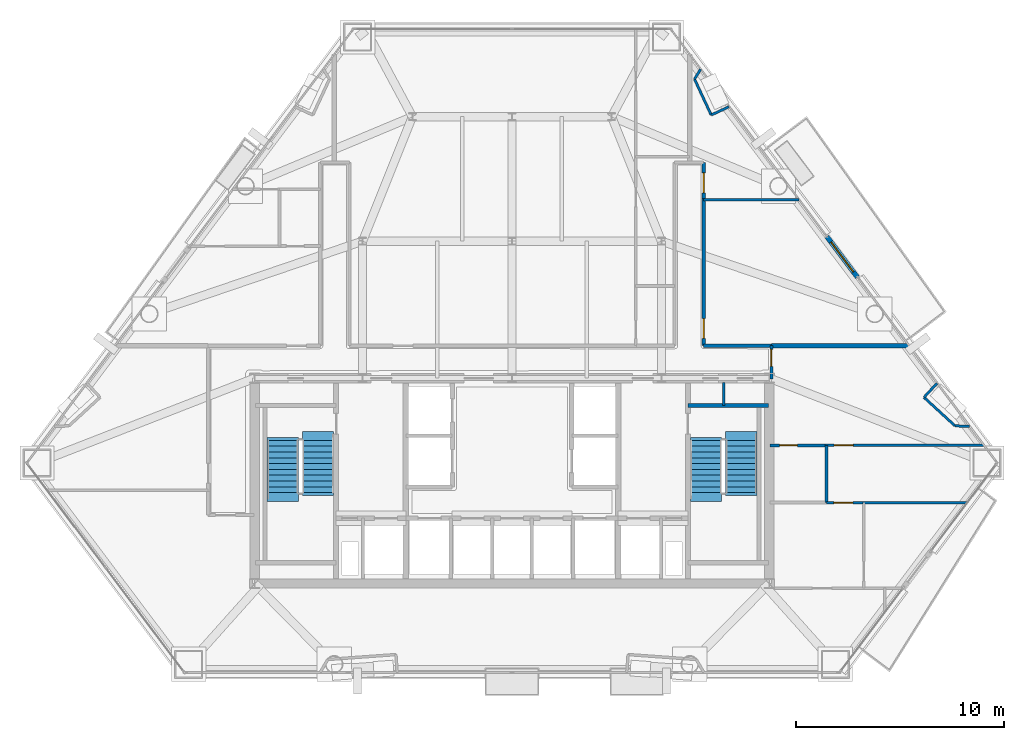
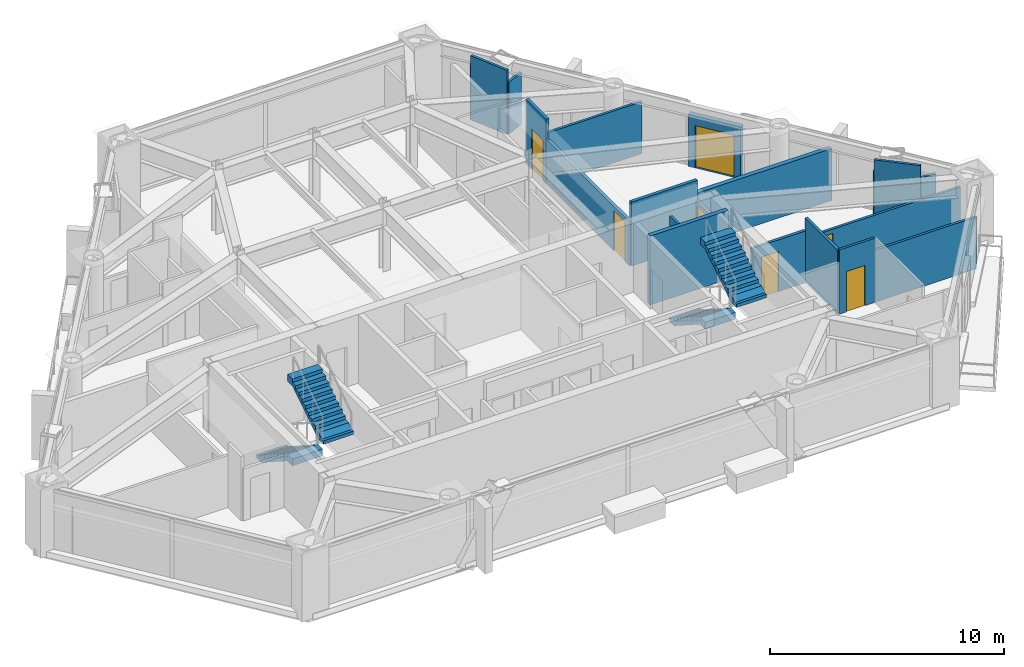
# One storey, part 8 of 10: 20 walls, 7 doors, 4 stair flights, 7 openings, 2 elements without a shape of their own.
"""IFC4 building model written with IfcOpenShell, lengths in metres."""

import ifcopenshell
import ifcopenshell.guid

model = None  # the IFC model being written
_history = None  # IfcOwnerHistory: only IFC2X3 demands one
_inside = {}  # id of a spatial element -> (the spatial element, [elements in it])
_under = {}  # id of a project, library or spatial element -> (it, [spatial elements below it])
_declared = {}  # id of a project -> (the project, [libraries it declares])
_typed = {}  # id of a type object -> (the type object, [elements of that type])
_made_of = {}  # id of a material, layer set ... -> (it, [elements and type objects made of it])


def new_model(schema):
    """Start an empty IFC model of exactly this schema.

    Asked for "IFC4X3", IfcOpenShell would pick the latest addendum, in which some entities
    have other attributes; the version numbers below select the first issue.
    IFC2X3 requires an IfcOwnerHistory on every rooted entity: one is made here for all.
    """
    global model, _history
    if schema == "IFC4X3":
        model = ifcopenshell.file(schema_version=(4, 3, 0, 0))
    else:
        model = ifcopenshell.file(schema=schema)
    _inside.clear()
    _under.clear()
    _declared.clear()
    _typed.clear()
    _made_of.clear()
    _history = None
    if model.schema == "IFC2X3":
        org = make("IfcOrganization", Name="unknown")
        user = make(
            "IfcPersonAndOrganization",
            ThePerson=make("IfcPerson", FamilyName="unknown"),
            TheOrganization=org,
        )
        app = make(
            "IfcApplication",
            ApplicationDeveloper=org,
            Version="unknown",
            ApplicationFullName="unknown",
            ApplicationIdentifier="unknown",
        )
        _history = make(
            "IfcOwnerHistory",
            OwningUser=user,
            OwningApplication=app,
            ChangeAction="ADDED",
            CreationDate=0,
        )
    return model


def make(cls, **values):
    """One entity of the class cls with the attributes given. An attribute that is None is left unset."""
    return model.create_entity(
        cls, **{name: value for name, value in values.items() if value is not None}
    )


def rooted(cls, **values):
    """An entity with a GlobalId (a new one), such as an element, a storey or a relation."""
    return make(cls, GlobalId=ifcopenshell.guid.new(), OwnerHistory=_history, **values)


def si_unit(unit_type, name, prefix=None):
    """IfcSIUnit, for example si_unit("LENGTHUNIT", "METRE", prefix="MILLI")."""
    return make("IfcSIUnit", UnitType=unit_type, Prefix=prefix, Name=name)


def assignment(units):
    """IfcUnitAssignment: the units of a project."""
    return None if units is None else make("IfcUnitAssignment", Units=units)


def point(xyz):
    """IfcCartesianPoint."""
    return None if xyz is None else make("IfcCartesianPoint", Coordinates=xyz)


def direction(xyz):
    """IfcDirection."""
    return None if xyz is None else make("IfcDirection", DirectionRatios=xyz)


def frame(location, z_axis=None, x_axis=None):
    """IfcAxis2Placement3D, a coordinate frame: its origin and axes. An axis left out is left unset."""
    return make(
        "IfcAxis2Placement3D",
        Location=point(location),
        Axis=direction(z_axis),
        RefDirection=direction(x_axis),
    )


def frame_2d(location, x_axis=None):
    """IfcAxis2Placement2D, a coordinate frame in the plane: its origin and x axis."""
    return make(
        "IfcAxis2Placement2D", Location=point(location), RefDirection=direction(x_axis)
    )


def origin():
    """The frame at (0, 0, 0) with its axes left unset."""
    return frame((0.0, 0.0, 0.0))


def place(relative_to, where):
    """IfcLocalPlacement: puts the frame where relative to a parent placement (None: the world)."""
    return make(
        "IfcLocalPlacement", PlacementRelTo=relative_to, RelativePlacement=where
    )


def context(
    kind, dimensions, precision=None, world=None, true_north=None, identifier=None
):
    """IfcGeometricRepresentationContext, for example the 3D "Model" context."""
    return make(
        "IfcGeometricRepresentationContext",
        ContextIdentifier=identifier,
        ContextType=kind,
        CoordinateSpaceDimension=dimensions,
        Precision=precision,
        WorldCoordinateSystem=world,
        TrueNorth=true_north,
    )


def subcontext(parent, identifier, kind, view, scale=None):
    """IfcGeometricRepresentationSubContext, for example "Body" below "Model"."""
    return make(
        "IfcGeometricRepresentationSubContext",
        ContextIdentifier=identifier,
        ContextType=kind,
        ParentContext=parent,
        TargetScale=scale,
        TargetView=view,
    )


def project(units=None, contexts=None):
    """IfcProject with its units and contexts."""
    return rooted(
        "IfcProject",
        Name="project",
        RepresentationContexts=contexts,
        UnitsInContext=assignment(units),
    )


def spatial(cls, under=None, at=None, **own):
    """A site, building, storey or space (cls), placed at a placement, below another one or the project."""
    s = rooted(cls, ObjectPlacement=at, **own)
    if under is not None:
        _under.setdefault(under.id(), (under, []))[1].append(s)
    return s


def polyline(points):
    """IfcPolyline through the points."""
    return make("IfcPolyline", Points=[point(p) for p in points])


def profile(cls, at=None, kind="AREA", **sizes):
    """A parametric profile (cls). Its sizes go by their IFC names, for example OverallWidth=200.0."""
    return make(cls, ProfileType=kind, Position=at, **sizes)


def rectangle(**sizes):
    """IfcRectangleProfileDef."""
    return profile("IfcRectangleProfileDef", **sizes)


def outline(outer, holes=None, kind="AREA"):
    """IfcArbitraryClosedProfileDef: a profile drawn as a closed curve; with holes, ...WithVoids."""
    if holes is None:
        return make("IfcArbitraryClosedProfileDef", ProfileType=kind, OuterCurve=outer)
    return make(
        "IfcArbitraryProfileDefWithVoids",
        ProfileType=kind,
        OuterCurve=outer,
        InnerCurves=holes,
    )


def extrude(swept, where, along, depth):
    """IfcExtrudedAreaSolid: the profile swept, set in the frame where, extruded along a direction by depth."""
    return make(
        "IfcExtrudedAreaSolid",
        SweptArea=swept,
        Position=where,
        ExtrudedDirection=direction(along),
        Depth=depth,
    )


def shape(context_of_items, identifier, shape_type, items):
    """IfcShapeRepresentation: the items that make up one representation, for example the "Body"."""
    return make(
        "IfcShapeRepresentation",
        ContextOfItems=context_of_items,
        RepresentationIdentifier=identifier,
        RepresentationType=shape_type,
        Items=items,
    )


def material(Name=None, Category=None):
    """IfcMaterial."""
    return make("IfcMaterial", Name=Name, Category=Category)


def layer(
    of_material, thickness, ventilated=None, Name=None, Category=None, Priority=None
):
    """IfcMaterialLayer: one layer of a wall or slab, of a material (None: an air gap)."""
    return make(
        "IfcMaterialLayer",
        Material=of_material,
        LayerThickness=thickness,
        IsVentilated=ventilated,
        Name=Name,
        Category=Category,
        Priority=Priority,
    )


def layer_set(layers, Name=None):
    """IfcMaterialLayerSet."""
    return make("IfcMaterialLayerSet", MaterialLayers=layers, LayerSetName=Name)


def made_of(thing, what):
    """Note that an element or type object is made of a material, layer set ...; save() writes the relation."""
    if what is not None:
        _made_of.setdefault(what.id(), (what, []))[1].append(thing)
    return thing


def type_object(cls, material=None, **own):
    """A type object (cls), such as IfcWallType, which elements share."""
    return made_of(rooted(cls, **own), material)


def element(
    cls,
    number,
    at=None,
    inside=None,
    cuts=None,
    type_object=None,
    material=None,
    context=None,
    identifier="Body",
    shape_type=None,
    held_by="IfcProductDefinitionShape",
    body=None,
    shapes=None,
    **own,
):
    """One element of the class cls, such as IfcWall. Its Tag is "e" and its number.

    at: its placement. inside: the storey or other place that contains it. cuts: it is an
    opening in that element (IfcRelVoidsElement). A single representation is given by context,
    identifier, shape_type and body (its items); several are given by shapes. held_by: the class
    of the entity that holds the representations. save() writes the other relations.
    """
    e = rooted(cls, Tag="e%d" % number, ObjectPlacement=at, **own)
    if body is not None:
        shapes = [shape(context, identifier, shape_type, body)]
    if shapes is not None:
        e.Representation = make(held_by, Representations=shapes)
    if inside is not None:
        _inside.setdefault(inside.id(), (inside, []))[1].append(e)
    if cuts is not None:
        rooted(
            "IfcRelVoidsElement", RelatingBuildingElement=cuts, RelatedOpeningElement=e
        )
    if type_object is not None:
        _typed.setdefault(type_object.id(), (type_object, []))[1].append(e)
    return made_of(e, material)


def fill(opening, filler):
    """IfcRelFillsElement: the door or window that sits in an opening."""
    return rooted(
        "IfcRelFillsElement",
        RelatingOpeningElement=opening,
        RelatedBuildingElement=filler,
    )


def aggregate(whole, parts):
    """IfcRelAggregates: a whole, such as a stair, and the parts it consists of."""
    return rooted("IfcRelAggregates", RelatingObject=whole, RelatedObjects=parts)


def save(model, path):
    """Write the relations noted so far, then the file.

    IfcRelAggregates (storeys below a building ...), IfcRelContainedInSpatialStructure (elements
    in a storey), IfcRelDefinesByType, IfcRelAssociatesMaterial and IfcRelDeclares: one each for
    every whole, place, type object, material and project.
    """
    for whole, parts in _under.values():
        aggregate(whole, parts)
    for where, things in _inside.values():
        rooted(
            "IfcRelContainedInSpatialStructure",
            RelatedElements=things,
            RelatingStructure=where,
        )
    for kind, things in _typed.values():
        rooted("IfcRelDefinesByType", RelatedObjects=things, RelatingType=kind)
    for what, things in _made_of.values():
        rooted("IfcRelAssociatesMaterial", RelatedObjects=things, RelatingMaterial=what)
    for by, libraries in _declared.values():
        rooted("IfcRelDeclares", RelatingContext=by, RelatedDefinitions=libraries)
    model.write(path)


model = new_model("IFC4")

# Units and contexts
model_context = context("Model", 3, precision=1e-05, world=origin(), true_north=direction((0.0, 1.0)))
body_context = subcontext(model_context, "Body", "Model", "MODEL_VIEW")
ifc_project = project(units=[si_unit("LENGTHUNIT", "METRE"), si_unit("AREAUNIT", "SQUARE_METRE"), si_unit("VOLUMEUNIT", "CUBIC_METRE"), si_unit("PLANEANGLEUNIT", "RADIAN"), si_unit("MASSUNIT", "GRAM", prefix="KILO")], contexts=[model_context])

# Site, building, storey
site_placement = place(None, origin())
site = spatial("IfcSite", under=ifc_project, at=site_placement, CompositionType="ELEMENT")
building_placement = place(site_placement, origin())
building = spatial("IfcBuilding", under=site, at=building_placement, Name="Talgorran Terracotta Tower", CompositionType="ELEMENT")
storey_placement = place(building_placement, frame((0.0, 0.0, 64.800048828125)))
storey = spatial("IfcBuildingStorey", under=building, at=storey_placement, Name="L16", CompositionType="ELEMENT", Elevation=64.800048828125)

# Wall, opening, door
ifc_material_1 = material(Name="Concrete C40/50", Category="concrete")
ifc_layer_1 = layer(ifc_material_1, 0.239990234375, Name="WT_BALCONY_SPAND")
ifc_layer_set_1 = layer_set([ifc_layer_1], Name="Concrete C40/50")
wall_type_1 = type_object("IfcWallType", Name="WT_BALCONY_SPAND", PredefinedType="STANDARD", material=ifc_layer_set_1)
wall_1_placement = place(storey_placement, frame((16.646484375, 0.665771484375, -0.01513671875), z_axis=(0.0, 0.0, 1.0), x_axis=(-0.601471893772, 0.79889396105, 0.0)))
wall_1 = element("IfcWall", 1, at=wall_1_placement, inside=storey, type_object=wall_type_1, Name="WL-L16-BALP-BAL-NE", PredefinedType="STANDARD", context=body_context, shape_type="SweptSolid", body=[
    extrude(rectangle(XDim=2.43994140625, YDim=0.239990234375, at=frame_2d((1.219970703125, 0.0))), origin(), (0.0, 0.0, 1.0), 2.728515625),
])
opening_1_placement = place(wall_1_placement, frame((0.320068359375, 0.0, 0.014892578125)))
opening_1 = element("IfcOpeningElement", 2, at=opening_1_placement, cuts=wall_1, Name="Opening D-BAL-L16-1", PredefinedType="OPENING", context=body_context, shape_type="SweptSolid", body=[
    extrude(rectangle(XDim=1.806048828125, YDim=2.203951171875, at=frame_2d((0.89990234375, 1.10205078125))), frame((0.0, 0.1298828125, 0.0), z_axis=(0.0, -1.0, 0.0), x_axis=(1.0, 0.0, 0.0)), (0.0, 0.0, 1.0), 0.260009765625),
])
ifc_material_2 = material(Name="Thermally Broken Aluminium", Category="aluminium")
door_type_1 = type_object("IfcDoorType", Name="DT_BALC_1800", OperationType="SLIDING_TO_LEFT", PredefinedType="DOOR", material=ifc_material_2)
door_1_placement = place(opening_1_placement, origin())
door_1 = element("IfcDoor", 3, at=door_1_placement, inside=storey, type_object=door_type_1, Name="DR-L16-BAL-BAL-NE", OperationType="SLIDING_TO_LEFT", OverallHeight=2.199951171875, OverallWidth=1.800048828125, PredefinedType="DOOR", context=body_context, shape_type="SweptSolid", body=[
    extrude(rectangle(XDim=1.800048828125, YDim=2.199951171875, at=frame_2d((0.89990234375, 1.10009765625))), frame((0.0, 0.02490234375, 0.0), z_axis=(0.0, -1.0, 0.0), x_axis=(1.0, 0.0, 0.0)), (0.0, 0.0, 1.0), 0.050048828125),
])
fill(opening_1, door_1)

# Wall
ifc_material_3 = material(Name="Concrete C50/60", Category="concrete")
ifc_layer_2 = layer(ifc_material_3, 0.199951171875, Name="WT_CORE_200")
ifc_layer_set_2 = layer_set([ifc_layer_2], Name="Concrete C50/60")
wall_type_2 = type_object("IfcWallType", Name="WT_CORE_200", PredefinedType="SOLIDWALL", material=ifc_layer_set_2)
wall_2_placement = place(storey_placement, frame((8.47998046875, -5.52001953125, 0.0), z_axis=(0.0, 0.0, 1.0), x_axis=(1.0, 0.0, 0.0)))
element("IfcWall", 4, at=wall_2_placement, inside=storey, type_object=wall_type_2, Name="WL-L16-CW-ST2-N", PredefinedType="SOLIDWALL", context=body_context, shape_type="SweptSolid", body=[
    extrude(rectangle(XDim=3.8701171875, YDim=0.199951171875, at=frame_2d((1.93505859375, 0.0))), origin(), (0.0, 0.0, 1.0), 3.599853515625),
])

# Wall, opening, door
ifc_material_4 = material(Name="Fire-Rated Steel Stud Plasterboard", Category="steel")
ifc_layer_3 = layer(ifc_material_4, 0.14990234375, Name="WT_FIRE_150")
ifc_layer_set_3 = layer_set([ifc_layer_3], Name="Fire-Rated Steel Stud Plasterboard")
wall_type_3 = type_object("IfcWallType", Name="WT_FIRE_150", PredefinedType="PARTITIONING", material=ifc_layer_set_3)
wall_3_placement = place(storey_placement, frame((9.239990234375, -2.639892578125, 0.0), z_axis=(0.0, 0.0, 1.0), x_axis=(0.0, 1.0, 0.0)))
wall_3 = element("IfcWall", 5, at=wall_3_placement, inside=storey, type_object=wall_type_3, Name="WL-L16-W-L16-R17", PredefinedType="PARTITIONING", context=body_context, shape_type="SweptSolid", body=[
    extrude(rectangle(XDim=7.099853515625, YDim=0.14990234375, at=frame_2d((3.5498046875, 0.0))), origin(), (0.0, 0.0, 1.0), 2.324951171875),
])
opening_2_placement = place(wall_3_placement, frame((0.359619140625, 0.0, 0.0)))
opening_2 = element("IfcOpeningElement", 6, at=opening_2_placement, cuts=wall_3, Name="Opening DR-L16-R16", PredefinedType="OPENING", context=body_context, shape_type="SweptSolid", body=[
    extrude(rectangle(XDim=0.955951171875, YDim=2.10409765625, at=frame_2d((0.47509765625, 1.052001953125))), frame((0.0, 0.0849609375, 0.0), z_axis=(0.0, -1.0, 0.0), x_axis=(1.0, 0.0, 0.0)), (0.0, 0.0, 1.0), 0.169921875),
])
ifc_material_5 = material(Name="Fire-Rated Timber Core", Category="wood")
door_type_2 = type_object("IfcDoorType", Name="DT_FIRE_950", OperationType="NOTDEFINED", PredefinedType="DOOR", material=ifc_material_5)
door_2_placement = place(opening_2_placement, origin())
door_2 = element("IfcDoor", 7, at=door_2_placement, inside=storey, type_object=door_type_2, Name="DR-L16-R16", OperationType="SINGLE_SWING_RIGHT", OverallHeight=2.10009765625, OverallWidth=0.949951171875, PredefinedType="DOOR", context=body_context, shape_type="SweptSolid", body=[
    extrude(rectangle(XDim=0.949951171875, YDim=2.10009765625, at=frame_2d((0.47509765625, 1.050048828125))), frame((0.0, 0.02490234375, 0.0), z_axis=(0.0, -1.0, 0.0), x_axis=(1.0, 0.0, 0.0)), (0.0, 0.0, 1.0), 0.050048828125),
])
fill(opening_2, door_2)

# Wall
wall_4_placement = place(storey_placement, frame((9.239990234375, -2.639892578125, 0.0), z_axis=(0.0, 0.0, 1.0), x_axis=(1.0, 0.0, 0.0)))
element("IfcWall", 8, at=wall_4_placement, inside=storey, type_object=wall_type_3, Name="WL-L16-W-L16-R18", PredefinedType="PARTITIONING", context=body_context, shape_type="SweptSolid", body=[
    extrude(rectangle(XDim=3.260009765625, YDim=0.14990234375, at=frame_2d((1.6298828125, 0.0))), origin(), (0.0, 0.0, 1.0), 3.349853515625),
])

# Wall, opening, door
wall_5_placement = place(storey_placement, frame((9.239990234375, 4.4619140625, 0.0), z_axis=(0.0, 0.0, 1.0), x_axis=(0.0, 1.0, 0.0)))
wall_5 = element("IfcWall", 9, at=wall_5_placement, inside=storey, type_object=wall_type_3, Name="WL-L16-W-L16-R20", PredefinedType="PARTITIONING", context=body_context, shape_type="SweptSolid", body=[
    extrude(rectangle(XDim=1.738037109375, YDim=0.14990234375, at=frame_2d((0.869140625, 0.0))), origin(), (0.0, 0.0, 1.0), 3.349853515625),
])
opening_3_placement = place(wall_5_placement, frame((0.27392578125, 0.0, 0.0)))
opening_3 = element("IfcOpeningElement", 10, at=opening_3_placement, cuts=wall_5, Name="Opening DR-L16-R17", PredefinedType="OPENING", context=body_context, shape_type="SweptSolid", body=[
    extrude(rectangle(XDim=0.955951171875, YDim=2.10409765625, at=frame_2d((0.47509765625, 1.052001953125))), frame((0.0, 0.0849609375, 0.0), z_axis=(0.0, -1.0, 0.0), x_axis=(1.0, 0.0, 0.0)), (0.0, 0.0, 1.0), 0.169921875),
])
door_3_placement = place(opening_3_placement, origin())
door_3 = element("IfcDoor", 11, at=door_3_placement, inside=storey, type_object=door_type_2, Name="DR-L16-R17", OperationType="SINGLE_SWING_LEFT", OverallHeight=2.10009765625, OverallWidth=0.949951171875, PredefinedType="DOOR", context=body_context, shape_type="SweptSolid", body=[
    extrude(rectangle(XDim=0.949951171875, YDim=2.10009765625, at=frame_2d((0.47509765625, 1.050048828125))), frame((0.0, 0.02490234375, 0.0), z_axis=(0.0, -1.0, 0.0), x_axis=(1.0, 0.0, 0.0)), (0.0, 0.0, 1.0), 0.050048828125),
])
fill(opening_3, door_3)

wall_6_placement = place(storey_placement, frame((12.5, -4.239990234375, 0.0), z_axis=(0.0, 0.0, 1.0), x_axis=(0.0, 1.0, 0.0)))
wall_6 = element("IfcWall", 12, at=wall_6_placement, inside=storey, type_object=wall_type_3, Name="WL-L16-W-L16-R04", PredefinedType="PARTITIONING", context=body_context, shape_type="SweptSolid", body=[
    extrude(rectangle(XDim=1.60009765625, YDim=0.14990234375, at=frame_2d((0.800048828125, 0.0))), origin(), (0.0, 0.0, 1.0), 2.324951171875),
])
opening_4_placement = place(wall_6_placement, frame((0.602294921875, 0.0, 0.0)))
opening_4 = element("IfcOpeningElement", 13, at=opening_4_placement, cuts=wall_6, Name="Opening DR-L16-R03", PredefinedType="OPENING", context=body_context, shape_type="SweptSolid", body=[
    extrude(rectangle(XDim=0.826068359375, YDim=2.10409765625, at=frame_2d((0.41015625, 1.052001953125))), frame((0.0, 0.0849609375, 0.0), z_axis=(0.0, -1.0, 0.0), x_axis=(1.0, 0.0, 0.0)), (0.0, 0.0, 1.0), 0.169921875),
])
ifc_material_6 = material(Name="Moisture-Resistant Solid Timber", Category="wood")
door_type_3 = type_object("IfcDoorType", Name="DT_INT_820", OperationType="NOTDEFINED", PredefinedType="DOOR", material=ifc_material_6)
door_4_placement = place(opening_4_placement, origin())
door_4 = element("IfcDoor", 14, at=door_4_placement, inside=storey, type_object=door_type_3, Name="DR-L16-R03", OperationType="SINGLE_SWING_LEFT", OverallHeight=2.10009765625, OverallWidth=0.820068359375, PredefinedType="DOOR", context=body_context, shape_type="SweptSolid", body=[
    extrude(rectangle(XDim=0.820068359375, YDim=2.10009765625, at=frame_2d((0.41015625, 1.050048828125))), frame((0.0, 0.02490234375, 0.0), z_axis=(0.0, -1.0, 0.0), x_axis=(1.0, 0.0, 0.0)), (0.0, 0.0, 1.0), 0.050048828125),
])
fill(opening_4, door_4)

# Walls
ifc_material_7 = material(Name="Acoustic Masonry and Plasterboard", Category="masonry")
ifc_layer_4 = layer(ifc_material_7, 0.219970703125, Name="WT_PARTY_220")
ifc_layer_set_4 = layer_set([ifc_layer_4], Name="Acoustic Masonry and Plasterboard")
wall_type_4 = type_object("IfcWallType", Name="WT_PARTY_220", PredefinedType="PARTITIONING", material=ifc_layer_set_4)
wall_7_placement = place(storey_placement, frame((12.5, -2.639892578125, 0.0), z_axis=(0.0, 0.0, 1.0), x_axis=(1.0, 0.0, 0.0)))
element("IfcWall", 15, at=wall_7_placement, inside=storey, type_object=wall_type_4, Name="WL-L16-W-L16-R25", PredefinedType="PARTITIONING", context=body_context, shape_type="SweptSolid", body=[
    extrude(rectangle(XDim=6.63525390625, YDim=0.219970703125, at=frame_2d((3.317626953125, 0.0))), origin(), (0.0, 0.0, 1.0), 2.71337890625),
])
ifc_material_8 = material(Name="Insulated Steel Stud Plasterboard", Category="steel")
ifc_layer_5 = layer(ifc_material_8, 0.1201171875, Name="WT_PART_120")
ifc_layer_set_5 = layer_set([ifc_layer_5], Name="Insulated Steel Stud Plasterboard")
wall_type_5 = type_object("IfcWallType", Name="WT_PART_120", PredefinedType="PARTITIONING", material=ifc_layer_set_5)
wall_8_placement = place(storey_placement, frame((10.199951171875, -5.52001953125, 0.0), z_axis=(0.0, 0.0, 1.0), x_axis=(0.0, 1.0, 0.0)))
element("IfcWall", 16, at=wall_8_placement, inside=storey, type_object=wall_type_5, Name="WL-L16-CW-CSE-DIV", PredefinedType="PARTITIONING", context=body_context, shape_type="SweptSolid", body=[
    extrude(rectangle(XDim=1.1201171875, YDim=0.1201171875, at=frame_2d((0.56005859375, 0.0))), origin(), (0.0, 0.0, 1.0), 3.349853515625),
])

# Wall, opening, door
wall_9_placement = place(storey_placement, frame((15.080078125, -7.43994140625, 0.0), z_axis=(0.0, 0.0, 1.0), x_axis=(1.0, 0.0, 0.0)))
wall_9 = element("IfcWall", 17, at=wall_9_placement, inside=storey, type_object=wall_type_5, Name="WL-L16-W-L16-R24", PredefinedType="PARTITIONING", context=body_context, shape_type="SweptSolid", body=[
    extrude(rectangle(XDim=7.668701171875, YDim=0.1201171875, at=frame_2d((3.83447265625, 0.0))), origin(), (0.0, 0.0, 1.0), 2.324951171875),
])
opening_5_placement = place(wall_9_placement, frame((0.4384765625, 0.0, 0.0)))
opening_5 = element("IfcOpeningElement", 18, at=opening_5_placement, cuts=wall_9, Name="Opening DR-L16-R05", PredefinedType="OPENING", context=body_context, shape_type="SweptSolid", body=[
    extrude(rectangle(XDim=0.925921875, YDim=2.10409765625, at=frame_2d((0.4599609375, 1.052001953125))), frame((0.0, 0.070068359375, 0.0), z_axis=(0.0, -1.0, 0.0), x_axis=(1.0, 0.0, 0.0)), (0.0, 0.0, 1.0), 0.14013671875),
])
ifc_material_9 = material(Name="Solid-Core Painted Timber", Category="wood")
door_type_4 = type_object("IfcDoorType", Name="DT_INT_920", OperationType="NOTDEFINED", PredefinedType="DOOR", material=ifc_material_9)
door_5_placement = place(opening_5_placement, origin())
door_5 = element("IfcDoor", 19, at=door_5_placement, inside=storey, type_object=door_type_4, Name="DR-L16-R05", OperationType="SINGLE_SWING_LEFT", OverallHeight=2.10009765625, OverallWidth=0.919921875, PredefinedType="DOOR", context=body_context, shape_type="SweptSolid", body=[
    extrude(rectangle(XDim=0.919921875, YDim=2.10009765625, at=frame_2d((0.4599609375, 1.050048828125))), frame((0.0, 0.02490234375, 0.0), z_axis=(0.0, -1.0, 0.0), x_axis=(1.0, 0.0, 0.0)), (0.0, 0.0, 1.0), 0.050048828125),
])
fill(opening_5, door_5)

# Walls
wall_10_placement = place(storey_placement, frame((16.919921875, -10.199951171875, 0.0), z_axis=(0.0, 0.0, 1.0), x_axis=(1.0, 0.0, 0.0)))
element("IfcWall", 20, at=wall_10_placement, inside=storey, type_object=wall_type_5, Name="WL-L16-W-L16-R29", PredefinedType="PARTITIONING", context=body_context, shape_type="SweptSolid", body=[
    extrude(rectangle(XDim=5.025634765625, YDim=0.1201171875, at=frame_2d((2.5126953125, 0.0))), origin(), (0.0, 0.0, 1.0), 2.71337890625),
])
wall_11_placement = place(storey_placement, frame((9.239990234375, 4.39990234375, 0.0), z_axis=(0.0, 0.0, 1.0), x_axis=(1.0, 0.0, 0.0)))
element("IfcWall", 21, at=wall_11_placement, inside=storey, type_object=wall_type_5, Name="WL-L16-W-L16-R47", PredefinedType="PARTITIONING", context=body_context, shape_type="SweptSolid", body=[
    extrude(rectangle(XDim=4.59521484375, YDim=0.1201171875, at=frame_2d((2.297607421875, 0.0))), origin(), (0.0, 0.0, 1.0), 2.71337890625),
])
wall_12_placement = place(storey_placement, frame((9.60009765625, 8.4794921875, 0.0), z_axis=(0.0, 0.0, 1.0), x_axis=(-0.421813891412, 0.906682436695, 0.0)))
element("IfcWall", 22, at=wall_12_placement, inside=storey, type_object=wall_type_5, Name="WL-L16-BW-L16-18", PredefinedType="PARTITIONING", context=body_context, shape_type="SweptSolid", body=[
    extrude(rectangle(XDim=1.908935546875, YDim=0.1201171875, at=frame_2d((0.95458984375, 0.0))), origin(), (0.0, 0.0, 1.0), 3.349853515625),
])

# Wall, opening, door
wall_13_placement = place(storey_placement, frame((15.159912109375, -10.199951171875, 0.0), z_axis=(0.0, 0.0, 1.0), x_axis=(1.0, 0.0, 0.0)))
wall_13 = element("IfcWall", 23, at=wall_13_placement, inside=storey, type_object=wall_type_5, Name="WL-L16-W-L16-R28", PredefinedType="PARTITIONING", context=body_context, shape_type="SweptSolid", body=[
    extrude(rectangle(XDim=1.758056640625, YDim=0.1201171875, at=frame_2d((0.87890625, 0.0))), origin(), (0.0, 0.0, 1.0), 3.349853515625),
])
opening_6_placement = place(wall_13_placement, frame((0.353271484375, 0.0, 0.0)))
opening_6 = element("IfcOpeningElement", 24, at=opening_6_placement, cuts=wall_13, Name="Opening DR-L16-R18", PredefinedType="OPENING", context=body_context, shape_type="SweptSolid", body=[
    extrude(rectangle(XDim=0.925921875, YDim=2.10409765625, at=frame_2d((0.4599609375, 1.052001953125))), frame((0.0, 0.070068359375, 0.0), z_axis=(0.0, -1.0, 0.0), x_axis=(1.0, 0.0, 0.0)), (0.0, 0.0, 1.0), 0.14013671875),
])
door_6_placement = place(opening_6_placement, origin())
door_6 = element("IfcDoor", 25, at=door_6_placement, inside=storey, type_object=door_type_4, Name="DR-L16-R18", OperationType="SINGLE_SWING_RIGHT", OverallHeight=2.10009765625, OverallWidth=0.919921875, PredefinedType="DOOR", context=body_context, shape_type="SweptSolid", body=[
    extrude(rectangle(XDim=0.919921875, YDim=2.10009765625, at=frame_2d((0.4599609375, 1.050048828125))), frame((0.0, 0.02490234375, 0.0), z_axis=(0.0, -1.0, 0.0), x_axis=(1.0, 0.0, 0.0)), (0.0, 0.0, 1.0), 0.050048828125),
])
fill(opening_6, door_6)

# Walls
wall_14_placement = place(storey_placement, frame((21.346923828125, -6.497314453125, 0.0), z_axis=(0.0, 0.0, 1.0), x_axis=(-0.736728490611, 0.67618868012, 0.0)))
element("IfcWall", 26, at=wall_14_placement, inside=storey, type_object=wall_type_5, Name="WL-L16-BW-L16-13", PredefinedType="PARTITIONING", context=body_context, shape_type="SweptSolid", body=[
    extrude(rectangle(XDim=2.0244140625, YDim=0.1201171875, at=frame_2d((1.01220703125, 0.0))), origin(), (0.0, 0.0, 1.0), 3.349853515625),
])
wall_15_placement = place(storey_placement, frame((10.453125, 8.876220703125, 0.0), z_axis=(0.0, 0.0, 1.0), x_axis=(-0.906732650515, -0.421705940781, 0.0)))
element("IfcWall", 27, at=wall_15_placement, inside=storey, type_object=wall_type_5, Name="WL-L16-BW-L16-17", PredefinedType="PARTITIONING", context=body_context, shape_type="SweptSolid", body=[
    extrude(rectangle(XDim=0.940673828125, YDim=0.1201171875, at=frame_2d((0.47021484375, 0.0))), origin(), (0.0, 0.0, 1.0), 2.71337890625),
])
wall_16_placement = place(storey_placement, frame((19.85546875, -5.12841796875, 0.0), z_axis=(0.0, 0.0, 1.0), x_axis=(0.676154076812, 0.736760248935, 0.0)))
element("IfcWall", 28, at=wall_16_placement, inside=storey, type_object=wall_type_5, Name="WL-L16-BW-L16-11", PredefinedType="PARTITIONING", context=body_context, shape_type="SweptSolid", body=[
    extrude(rectangle(XDim=0.926513671875, YDim=0.1201171875, at=frame_2d((0.46337890625, 0.0))), origin(), (0.0, 0.0, 1.0), 2.71337890625),
])
wall_17_placement = place(storey_placement, frame((22.052734375, -6.5322265625, 0.0), z_axis=(0.0, 0.0, 1.0), x_axis=(-0.998778903867, 0.049403453218, 0.0)))
element("IfcWall", 29, at=wall_17_placement, inside=storey, type_object=wall_type_5, Name="WL-L16-BW-L16-12", PredefinedType="PARTITIONING", context=body_context, shape_type="SweptSolid", body=[
    extrude(rectangle(XDim=0.706787109375, YDim=0.1201171875, at=frame_2d((0.353515625, 0.0))), origin(), (0.0, 0.0, 1.0), 2.71337890625),
])
wall_18_placement = place(storey_placement, frame((8.794921875, 10.210205078125, 0.0), z_axis=(0.0, 0.0, 1.0), x_axis=(0.528469521006, 0.848952275082, 0.0)))
element("IfcWall", 30, at=wall_18_placement, inside=storey, type_object=wall_type_5, Name="WL-L16-BW-L16-19", PredefinedType="PARTITIONING", context=body_context, shape_type="SweptSolid", body=[
    extrude(rectangle(XDim=0.559814453125, YDim=0.1201171875, at=frame_2d((0.27978515625, 0.0))), origin(), (0.0, 0.0, 1.0), 2.71337890625),
])

# Wall, opening, door
ifc_material_10 = material(Name="Moisture-Resistant Stud Wall")
ifc_layer_6 = layer(ifc_material_10, 0.135009765625, Name="WT_PART_135")
ifc_layer_set_6 = layer_set([ifc_layer_6], Name="Moisture-Resistant Stud Wall")
wall_type_6 = type_object("IfcWallType", Name="WT_PART_135", PredefinedType="PARTITIONING", material=ifc_layer_set_6)
wall_19_placement = place(storey_placement, frame((12.43994140625, -7.43994140625, 0.0), z_axis=(0.0, 0.0, 1.0), x_axis=(1.0, 0.0, 0.0)))
wall_19 = element("IfcWall", 31, at=wall_19_placement, inside=storey, type_object=wall_type_6, Name="WL-L16-W-L16-R23", PredefinedType="PARTITIONING", context=body_context, shape_type="SweptSolid", body=[
    extrude(rectangle(XDim=2.637939453125, YDim=0.135009765625, at=frame_2d((1.31884765625, 0.0))), origin(), (0.0, 0.0, 1.0), 2.71337890625),
])
opening_7_placement = place(wall_19_placement, frame((0.458251953125, 0.0, 0.0)))
opening_7 = element("IfcOpeningElement", 32, at=opening_7_placement, cuts=wall_19, Name="Opening DR-L16-R04", PredefinedType="OPENING", context=body_context, shape_type="SweptSolid", body=[
    extrude(rectangle(XDim=0.85609765625, YDim=2.10409765625, at=frame_2d((0.425048828125, 1.052001953125))), frame((0.0, 0.07763671875, 0.0), z_axis=(0.0, -1.0, 0.0), x_axis=(1.0, 0.0, 0.0)), (0.0, 0.0, 1.0), 0.155029296875),
])
door_type_5 = type_object("IfcDoorType", Name="DT_INT_850", OperationType="NOTDEFINED", PredefinedType="DOOR", material=ifc_material_6)
door_7_placement = place(opening_7_placement, origin())
door_7 = element("IfcDoor", 33, at=door_7_placement, inside=storey, type_object=door_type_5, Name="DR-L16-R04", OperationType="SINGLE_SWING_RIGHT", OverallHeight=2.10009765625, OverallWidth=0.85009765625, PredefinedType="DOOR", context=body_context, shape_type="SweptSolid", body=[
    extrude(rectangle(XDim=0.85009765625, YDim=2.10009765625, at=frame_2d((0.425048828125, 1.050048828125))), frame((0.0, 0.02490234375, 0.0), z_axis=(0.0, -1.0, 0.0), x_axis=(1.0, 0.0, 0.0)), (0.0, 0.0, 1.0), 0.050048828125),
])
fill(opening_7, door_7)

# Wall
wall_20_placement = place(storey_placement, frame((15.159912109375, -10.199951171875, 0.0), z_axis=(0.0, 0.0, 1.0), x_axis=(0.0, 1.0, 0.0)))
element("IfcWall", 34, at=wall_20_placement, inside=storey, type_object=wall_type_6, Name="WL-L16-W-L16-R26", PredefinedType="PARTITIONING", context=body_context, shape_type="SweptSolid", body=[
    extrude(rectangle(XDim=2.760009765625, YDim=0.135009765625, at=frame_2d((1.3798828125, 0.0))), origin(), (0.0, 0.0, 1.0), 3.349853515625),
])

# Stair, stair flights
stair_type = type_object("IfcStairType", Name="ST_FIRE_SCISSOR", PredefinedType="HALF_TURN_STAIR", material=ifc_material_1)
stair_1_placement = place(storey_placement, origin())
stair_1 = element("IfcStair", 35, at=stair_1_placement, inside=storey, type_object=stair_type, Name="L16 West Protected Fire Stair ST-01", PredefinedType="HALF_TURN_STAIR")
ifc_layer_7 = layer(ifc_material_1, 0.179931640625, Name="STF_RC_1500")
ifc_layer_set_7 = layer_set([ifc_layer_7], Name="Concrete C40/50")
stair_flight_type = type_object("IfcStairFlightType", Name="STF_RC_1500", PredefinedType="STRAIGHT", material=ifc_layer_set_7)
stair_flight_1_placement = place(storey_placement, frame((-11.050048828125, -7.199951171875, 0.0), z_axis=(0.0, 0.0, 1.0), x_axis=(0.0, -1.0, 0.0)))
stair_flight_1 = element("IfcStairFlight", 36, at=stair_flight_1_placement, type_object=stair_flight_type, Name="ST-01 flight 1", NumberOfRisers=10, NumberOfTreads=9, PredefinedType="STRAIGHT", RiserHeight=0.18, TreadLength=0.28, context=body_context, shape_type="SweptSolid", body=[
    extrude(outline(polyline([(-0.139892578125, 0.0), (-0.139892578125, 0.179931640625), (0.0, 0.179931640625), (0.280029296875, 0.360107421875), (0.56005859375, 0.360107421875), (0.56005859375, 0.5400390625), (0.840087890625, 0.5400390625), (0.840087890625, 0.719970703125), (1.1201171875, 0.719970703125), (1.1201171875, 0.89990234375), (1.39990234375, 0.89990234375), (1.39990234375, 1.080078125), (1.679931640625, 1.080078125), (1.679931640625, 1.260009765625), (1.9599609375, 1.260009765625), (1.9599609375, 1.43994140625), (2.239990234375, 1.43994140625), (2.239990234375, 1.6201171875), (2.52001953125, 1.6201171875), (2.52001953125, 1.800048828125), (2.93994140625, 1.800048828125), (2.93994140625, 1.44189453125), (2.52001953125, 1.44189453125), (0.277099609375, 0.0), (-0.139892578125, 0.0)])), frame((0.0, 0.75, 0.0), z_axis=(0.0, -1.0, 0.0), x_axis=(1.0, 0.0, 0.0)), (0.0, 0.0, 1.0), 1.5),
])
stair_flight_2_placement = place(storey_placement, frame((-9.35009765625, -9.719970703125, 1.800048828125), z_axis=(0.0, 0.0, 1.0), x_axis=(0.0, 1.0, 0.0)))
stair_flight_2 = element("IfcStairFlight", 37, at=stair_flight_2_placement, type_object=stair_flight_type, Name="ST-01 flight 2", NumberOfRisers=10, NumberOfTreads=9, PredefinedType="STRAIGHT", RiserHeight=0.18, TreadLength=0.28, context=body_context, shape_type="SweptSolid", body=[
    extrude(outline(polyline([(-0.139892578125, 0.0), (-0.139892578125, 0.179931640625), (0.0, 0.179931640625), (0.280029296875, 0.360107421875), (0.56005859375, 0.360107421875), (0.56005859375, 0.5400390625), (0.840087890625, 0.5400390625), (0.840087890625, 0.719970703125), (1.1201171875, 0.719970703125), (1.1201171875, 0.89990234375), (1.39990234375, 0.89990234375), (1.39990234375, 1.080078125), (1.679931640625, 1.080078125), (1.679931640625, 1.260009765625), (1.9599609375, 1.260009765625), (1.9599609375, 1.43994140625), (2.239990234375, 1.43994140625), (2.239990234375, 1.6201171875), (2.52001953125, 1.6201171875), (2.52001953125, 1.800048828125), (2.93994140625, 1.800048828125), (2.93994140625, 1.44189453125), (2.52001953125, 1.44189453125), (0.277099609375, 0.0), (-0.139892578125, 0.0)])), frame((0.0, 0.75, 0.0), z_axis=(0.0, -1.0, 0.0), x_axis=(1.0, 0.0, 0.0)), (0.0, 0.0, 1.0), 1.5),
])
aggregate(stair_1, [stair_flight_1, stair_flight_2])

stair_2_placement = place(storey_placement, origin())
stair_2 = element("IfcStair", 38, at=stair_2_placement, inside=storey, type_object=stair_type, Name="L16 East Protected Fire Stair ST-02", PredefinedType="HALF_TURN_STAIR")
stair_flight_3_placement = place(storey_placement, frame((9.35009765625, -7.199951171875, 0.0), z_axis=(0.0, 0.0, 1.0), x_axis=(0.0, -1.0, 0.0)))
stair_flight_3 = element("IfcStairFlight", 39, at=stair_flight_3_placement, type_object=stair_flight_type, Name="ST-02 flight 1", NumberOfRisers=10, NumberOfTreads=9, PredefinedType="STRAIGHT", RiserHeight=0.18, TreadLength=0.28, context=body_context, shape_type="SweptSolid", body=[
    extrude(outline(polyline([(-0.139892578125, 0.0), (-0.139892578125, 0.179931640625), (0.0, 0.179931640625), (0.280029296875, 0.360107421875), (0.56005859375, 0.360107421875), (0.56005859375, 0.5400390625), (0.840087890625, 0.5400390625), (0.840087890625, 0.719970703125), (1.1201171875, 0.719970703125), (1.1201171875, 0.89990234375), (1.39990234375, 0.89990234375), (1.39990234375, 1.080078125), (1.679931640625, 1.080078125), (1.679931640625, 1.260009765625), (1.9599609375, 1.260009765625), (1.9599609375, 1.43994140625), (2.239990234375, 1.43994140625), (2.239990234375, 1.6201171875), (2.52001953125, 1.6201171875), (2.52001953125, 1.800048828125), (2.93994140625, 1.800048828125), (2.93994140625, 1.44189453125), (2.52001953125, 1.44189453125), (0.277099609375, 0.0), (-0.139892578125, 0.0)])), frame((0.0, 0.75, 0.0), z_axis=(0.0, -1.0, 0.0), x_axis=(1.0, 0.0, 0.0)), (0.0, 0.0, 1.0), 1.5),
])
stair_flight_4_placement = place(storey_placement, frame((11.050048828125, -9.719970703125, 1.800048828125), z_axis=(0.0, 0.0, 1.0), x_axis=(0.0, 1.0, 0.0)))
stair_flight_4 = element("IfcStairFlight", 40, at=stair_flight_4_placement, type_object=stair_flight_type, Name="ST-02 flight 2", NumberOfRisers=10, NumberOfTreads=9, PredefinedType="STRAIGHT", RiserHeight=0.18, TreadLength=0.28, context=body_context, shape_type="SweptSolid", body=[
    extrude(outline(polyline([(-0.139892578125, 0.0), (-0.139892578125, 0.179931640625), (0.0, 0.179931640625), (0.280029296875, 0.360107421875), (0.56005859375, 0.360107421875), (0.56005859375, 0.5400390625), (0.840087890625, 0.5400390625), (0.840087890625, 0.719970703125), (1.1201171875, 0.719970703125), (1.1201171875, 0.89990234375), (1.39990234375, 0.89990234375), (1.39990234375, 1.080078125), (1.679931640625, 1.080078125), (1.679931640625, 1.260009765625), (1.9599609375, 1.260009765625), (1.9599609375, 1.43994140625), (2.239990234375, 1.43994140625), (2.239990234375, 1.6201171875), (2.52001953125, 1.6201171875), (2.52001953125, 1.800048828125), (2.93994140625, 1.800048828125), (2.93994140625, 1.44189453125), (2.52001953125, 1.44189453125), (0.277099609375, 0.0), (-0.139892578125, 0.0)])), frame((0.0, 0.75, 0.0), z_axis=(0.0, -1.0, 0.0), x_axis=(1.0, 0.0, 0.0)), (0.0, 0.0, 1.0), 1.5),
])
aggregate(stair_2, [stair_flight_3, stair_flight_4])

save(model, "model.ifc")
